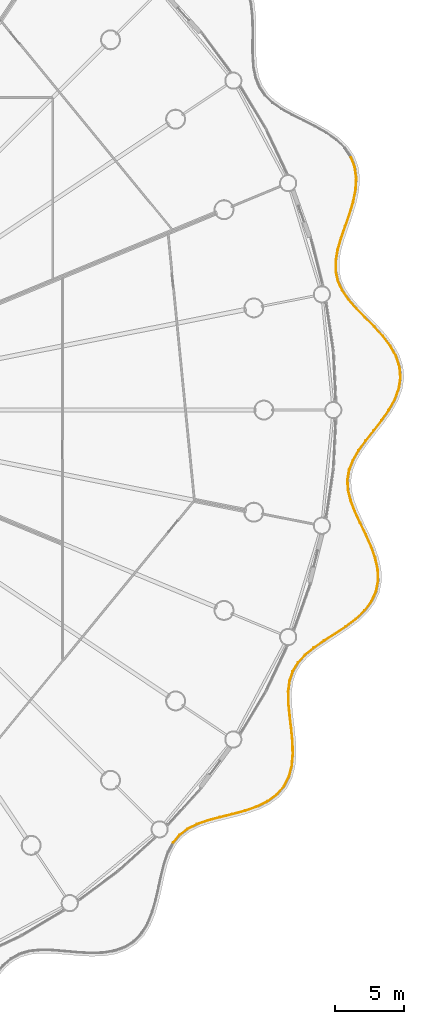
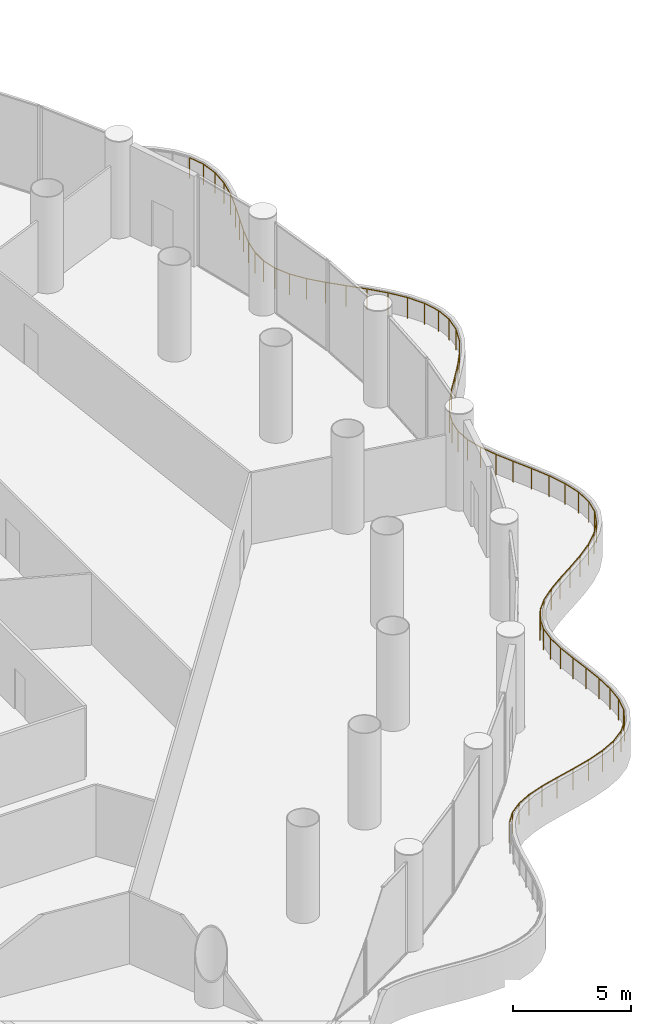
# One storey, part 36 of 38: 3 railings.
"""IFC4 building model written with IfcOpenShell, lengths in metres."""

from ifc_helpers import new_model, si_unit, direction, frame, origin, origin_2d, place, context, subcontext, project, spatial, circle, extrude, material, type_object, element, save


model = new_model("IFC4")

# Units and contexts
model_context = context("Model", 3, precision=1e-05, world=origin(), true_north=direction((0.0, 1.0)))
body_context = subcontext(model_context, "Body", "Model", "MODEL_VIEW")
ifc_project = project(units=[si_unit("LENGTHUNIT", "METRE"), si_unit("AREAUNIT", "SQUARE_METRE"), si_unit("VOLUMEUNIT", "CUBIC_METRE"), si_unit("PLANEANGLEUNIT", "RADIAN"), si_unit("MASSUNIT", "GRAM", prefix="KILO")], contexts=[model_context])

# Site, building, storey
site_placement = place(None, origin())
site = spatial("IfcSite", under=ifc_project, at=site_placement, CompositionType="ELEMENT")
building_placement = place(site_placement, origin())
building = spatial("IfcBuilding", under=site, at=building_placement, Name="Corvane Civic Tower", CompositionType="ELEMENT")
storey_placement = place(building_placement, frame((0.0, 0.0, 32.0)))
storey = spatial("IfcBuildingStorey", under=building, at=storey_placement, Name="L06", CompositionType="ELEMENT", Elevation=32.0)

# Railings
ifc_material = material(Name="Steel ASTM A572 Gr 50", Category="steel")
railing_type = type_object("IfcRailingType", Name="PODIUM-RL-GUARD-1100", PredefinedType="GUARDRAIL", material=ifc_material)
railing_1_placement = place(storey_placement, frame((31.17919921875, -31.143798828125, 0.0)))
element("IfcRailing", 1, at=railing_1_placement, inside=storey, type_object=railing_type, Name="L06 ribbon guard 11", PredefinedType="GUARDRAIL", context=body_context, shape_type="SweptSolid", body=[
    extrude(circle(Radius=0.02392578125, at=origin_2d()), frame((0.0, 0.0, 1.076171875), z_axis=(0.640562840792, 0.767905753981, 0.0), x_axis=(-0.767905753981, 0.640562840792, 0.0)), (0.0, 0.0, 1.0), 0.69775390625),
    extrude(circle(Radius=0.02392578125, at=origin_2d()), frame((0.447021484375, 0.535888671875, 1.076171875), z_axis=(0.793654806349, 0.608368349241, 0.0), x_axis=(-0.608368349241, 0.793654806349, 0.0)), (0.0, 0.0, 1.0), 0.72998046875),
    extrude(circle(Radius=0.02392578125, at=origin_2d()), frame((1.0263671875, 0.97998046875, 1.076171875), z_axis=(0.894364132119, 0.447339691039, 0.0), x_axis=(-0.447339691039, 0.894364132119, 0.0)), (0.0, 0.0, 1.0), 0.7744140625),
    extrude(circle(Radius=0.02392578125, at=origin_2d()), frame((1.718994140625, 1.326416015625, 1.076171875), z_axis=(0.945666987633, 0.325136815051, 0.0), x_axis=(-0.325136815051, 0.945666987633, 0.0)), (0.0, 0.0, 1.0), 0.837158203125),
    extrude(circle(Radius=0.02392578125, at=origin_2d()), frame((2.5107421875, 1.5986328125, 1.076171875), z_axis=(0.966996669681, 0.254789012373, 0.0), x_axis=(-0.254789012373, 0.966996669681, 0.0)), (0.0, 0.0, 1.0), 0.89404296875),
    extrude(circle(Radius=0.02392578125, at=origin_2d()), frame((3.375244140625, 1.826416015625, 1.076171875), z_axis=(0.97192484401, 0.235291516199, 0.0), x_axis=(-0.235291516199, 0.97192484401, 0.0)), (0.0, 0.0, 1.0), 0.9287109375),
    extrude(circle(Radius=0.02392578125, at=origin_2d()), frame((4.27783203125, 2.044921875, 1.076171875), z_axis=(0.965281385945, 0.261212262249, 0.0), x_axis=(-0.261212262249, 0.965281385945, 0.0)), (0.0, 0.0, 1.0), 0.932861328125),
    extrude(circle(Radius=0.02392578125, at=origin_2d()), frame((5.17822265625, 2.28857421875, 1.076171875), z_axis=(0.943387294832, 0.331693249781, 0.0), x_axis=(-0.331693249781, 0.943387294832, 0.0)), (0.0, 0.0, 1.0), 0.90673828125),
    extrude(circle(Radius=0.02392578125, at=origin_2d()), frame((6.03369140625, 2.58935546875, 1.076171875), z_axis=(0.895163202273, 0.445738534677, 0.0), x_axis=(-0.445738534677, 0.895163202273, 0.0)), (0.0, 0.0, 1.0), 0.861083984375),
    extrude(circle(Radius=0.02392578125, at=origin_2d()), frame((6.804443359375, 2.97314453125, 1.076171875), z_axis=(0.803339019645, 0.59552197232, 0.0), x_axis=(-0.59552197232, 0.803339019645, 0.0)), (0.0, 0.0, 1.0), 0.81298828125),
    extrude(circle(Radius=0.02392578125, at=origin_2d()), frame((7.45751953125, 3.457275390625, 1.076171875), z_axis=(0.65371739994, 0.756738766693, 0.0), x_axis=(-0.756738766693, 0.65371739994, 0.0)), (0.0, 0.0, 1.0), 0.781982421875),
    extrude(circle(Radius=0.02392578125, at=origin_2d()), frame((7.96875, 4.049072265625, 1.076171875), z_axis=(0.457770141422, 0.889070580788, 0.0), x_axis=(-0.889070580788, 0.457770141422, 0.0)), (0.0, 0.0, 1.0), 0.783935546875),
    extrude(circle(Radius=0.02392578125, at=origin_2d()), frame((8.32763671875, 4.74609375, 1.076171875), z_axis=(0.25593360182, 0.966694363002, 0.0), x_axis=(-0.966694363002, 0.25593360182, 0.0)), (0.0, 0.0, 1.0), 0.817626953125),
    extrude(circle(Radius=0.02392578125, at=origin_2d()), frame((8.536865234375, 5.536376953125, 1.076171875), z_axis=(0.087918482012, 0.996127672801, 0.0), x_axis=(-0.996127672801, 0.087918482012, 0.0)), (0.0, 0.0, 1.0), 0.866455078125),
    extrude(circle(Radius=0.02392578125, at=origin_2d()), frame((8.613037109375, 6.3994140625, 1.076171875), z_axis=(-0.030029369603, 0.999549016788, 0.0), x_axis=(-0.999549016788, -0.030029369603, 0.0)), (0.0, 0.0, 1.0), 0.91064453125),
    extrude(circle(Radius=0.02392578125, at=origin_2d()), frame((8.585693359375, 7.3095703125, 1.076171875), z_axis=(-0.09883063936, 0.995104268267, 0.0), x_axis=(-0.995104268267, -0.09883063936, 0.0)), (0.0, 0.0, 1.0), 0.933837890625),
    extrude(circle(Radius=0.02392578125, at=origin_2d()), frame((8.493408203125, 8.23876953125, 1.076171875), z_axis=(-0.120693375254, 0.992689835331, 0.0), x_axis=(-0.992689835331, -0.120693375254, 0.0)), (0.0, 0.0, 1.0), 0.926513671875),
    extrude(circle(Radius=0.02392578125, at=origin_2d()), frame((8.381591796875, 9.158447265625, 1.076171875), z_axis=(-0.095288563637, 0.995449692169, 0.0), x_axis=(-0.995449692169, -0.095288563637, 0.0)), (0.0, 0.0, 1.0), 0.88916015625),
    extrude(circle(Radius=0.02392578125, at=origin_2d()), frame((8.296875, 10.04345703125, 1.076171875), z_axis=(-0.016174354489, 0.999869186572, 0.0), x_axis=(-0.999869186572, -0.016174354489, 0.0)), (0.0, 0.0, 1.0), 0.830078125),
    extrude(circle(Radius=0.02392578125, at=origin_2d()), frame((8.283447265625, 10.87353515625, 1.076171875), z_axis=(0.122901158581, 0.992418916194, 0.0), x_axis=(-0.992418916194, 0.122901158581, 0.0)), (0.0, 0.0, 1.0), 0.768798828125),
    extrude(circle(Radius=0.02392578125, at=origin_2d()), frame((8.3779296875, 11.636474609375, 1.076171875), z_axis=(0.313001886117, 0.949752504228, 0.0), x_axis=(-0.949752504228, 0.313001886117, 0.0)), (0.0, 0.0, 1.0), 0.72705078125),
    extrude(circle(Radius=0.02392578125, at=origin_2d()), frame((8.60546875, 12.326904296875, 1.076171875), z_axis=(0.514594803967, 0.857433488809, 0.0), x_axis=(-0.857433488809, 0.514594803967, 0.0)), (0.0, 0.0, 1.0), 0.724853515625),
    extrude(circle(Radius=0.02392578125, at=origin_2d()), frame((8.978515625, 12.948486328125, 1.076171875), z_axis=(0.674550053428, 0.738229114449, 0.0), x_axis=(-0.738229114449, 0.674550053428, 0.0)), (0.0, 0.0, 1.0), 0.762939453125),
    extrude(circle(Radius=0.02392578125, at=origin_2d()), frame((9.4931640625, 13.51171875, 1.076171875), z_axis=(0.774868960763, 0.632121897774, 0.0), x_axis=(-0.632121897774, 0.774868960763, 0.0)), (0.0, 0.0, 1.0), 0.798828125),
    extrude(circle(Radius=0.02099609375, at=origin_2d()), origin(), (0.0, 0.0, 1.0), 1.052001953125),
    extrude(circle(Radius=0.02099609375, at=origin_2d()), frame((0.447021484375, 0.535888671875, 0.0)), (0.0, 0.0, 1.0), 1.052001953125),
    extrude(circle(Radius=0.02099609375, at=origin_2d()), frame((1.0263671875, 0.97998046875, 0.0)), (0.0, 0.0, 1.0), 1.052001953125),
    extrude(circle(Radius=0.02099609375, at=origin_2d()), frame((1.718994140625, 1.326416015625, 0.0)), (0.0, 0.0, 1.0), 1.052001953125),
    extrude(circle(Radius=0.02099609375, at=origin_2d()), frame((2.5107421875, 1.5986328125, 0.0)), (0.0, 0.0, 1.0), 1.052001953125),
    extrude(circle(Radius=0.02099609375, at=origin_2d()), frame((3.375244140625, 1.826416015625, 0.0)), (0.0, 0.0, 1.0), 1.052001953125),
    extrude(circle(Radius=0.02099609375, at=origin_2d()), frame((4.27783203125, 2.044921875, 0.0)), (0.0, 0.0, 1.0), 1.052001953125),
    extrude(circle(Radius=0.02099609375, at=origin_2d()), frame((5.17822265625, 2.28857421875, 0.0)), (0.0, 0.0, 1.0), 1.052001953125),
    extrude(circle(Radius=0.02099609375, at=origin_2d()), frame((6.03369140625, 2.58935546875, 0.0)), (0.0, 0.0, 1.0), 1.052001953125),
    extrude(circle(Radius=0.02099609375, at=origin_2d()), frame((6.804443359375, 2.97314453125, 0.0)), (0.0, 0.0, 1.0), 1.052001953125),
    extrude(circle(Radius=0.02099609375, at=origin_2d()), frame((7.45751953125, 3.457275390625, 0.0)), (0.0, 0.0, 1.0), 1.052001953125),
    extrude(circle(Radius=0.02099609375, at=origin_2d()), frame((7.96875, 4.049072265625, 0.0)), (0.0, 0.0, 1.0), 1.052001953125),
    extrude(circle(Radius=0.02099609375, at=origin_2d()), frame((8.32763671875, 4.74609375, 0.0)), (0.0, 0.0, 1.0), 1.052001953125),
    extrude(circle(Radius=0.02099609375, at=origin_2d()), frame((8.536865234375, 5.536376953125, 0.0)), (0.0, 0.0, 1.0), 1.052001953125),
    extrude(circle(Radius=0.02099609375, at=origin_2d()), frame((8.613037109375, 6.3994140625, 0.0)), (0.0, 0.0, 1.0), 1.052001953125),
    extrude(circle(Radius=0.02099609375, at=origin_2d()), frame((8.585693359375, 7.3095703125, 0.0)), (0.0, 0.0, 1.0), 1.052001953125),
    extrude(circle(Radius=0.02099609375, at=origin_2d()), frame((8.493408203125, 8.23876953125, 0.0)), (0.0, 0.0, 1.0), 1.052001953125),
    extrude(circle(Radius=0.02099609375, at=origin_2d()), frame((8.381591796875, 9.158447265625, 0.0)), (0.0, 0.0, 1.0), 1.052001953125),
    extrude(circle(Radius=0.02099609375, at=origin_2d()), frame((8.296875, 10.04345703125, 0.0)), (0.0, 0.0, 1.0), 1.052001953125),
    extrude(circle(Radius=0.02099609375, at=origin_2d()), frame((8.283447265625, 10.87353515625, 0.0)), (0.0, 0.0, 1.0), 1.052001953125),
    extrude(circle(Radius=0.02099609375, at=origin_2d()), frame((8.3779296875, 11.636474609375, 0.0)), (0.0, 0.0, 1.0), 1.052001953125),
    extrude(circle(Radius=0.02099609375, at=origin_2d()), frame((8.60546875, 12.326904296875, 0.0)), (0.0, 0.0, 1.0), 1.052001953125),
    extrude(circle(Radius=0.02099609375, at=origin_2d()), frame((8.978515625, 12.948486328125, 0.0)), (0.0, 0.0, 1.0), 1.052001953125),
    extrude(circle(Radius=0.02099609375, at=origin_2d()), frame((9.4931640625, 13.51171875, 0.0)), (0.0, 0.0, 1.0), 1.052001953125),
    extrude(circle(Radius=0.02099609375, at=origin_2d()), frame((10.112060546875, 14.0166015625, 0.0)), (0.0, 0.0, 1.0), 1.052001953125),
])
railing_2_placement = place(storey_placement, frame((41.331298828125, -17.09716796875, 0.0)))
element("IfcRailing", 2, at=railing_2_placement, inside=storey, type_object=railing_type, Name="L06 ribbon guard 12", PredefinedType="GUARDRAIL", context=body_context, shape_type="SweptSolid", body=[
    extrude(circle(Radius=0.02392578125, at=origin_2d()), frame((0.0, 0.0, 1.076171875), z_axis=(0.82573958795, 0.564051533898, 0.0), x_axis=(-0.564051533898, 0.82573958795, 0.0)), (0.0, 0.0, 1.0), 0.8583984375),
    extrude(circle(Radius=0.02392578125, at=origin_2d()), frame((0.708740234375, 0.484130859375, 1.076171875), z_axis=(0.842822766724, 0.53819121499, 0.0), x_axis=(-0.53819121499, 0.842822766724, 0.0)), (0.0, 0.0, 1.0), 0.924072265625),
    extrude(circle(Radius=0.02392578125, at=origin_2d()), frame((1.487548828125, 0.9814453125, 1.076171875), z_axis=(0.83337465596, 0.552708497133, 0.0), x_axis=(-0.552708497133, 0.83337465596, 0.0)), (0.0, 0.0, 1.0), 0.934326171875),
    extrude(circle(Radius=0.02392578125, at=origin_2d()), frame((2.26611328125, 1.497802734375, 1.076171875), z_axis=(0.796655807084, 0.604433226286, 0.0), x_axis=(-0.604433226286, 0.796655807084, 0.0)), (0.0, 0.0, 1.0), 0.91455078125),
    extrude(circle(Radius=0.02392578125, at=origin_2d()), frame((2.99462890625, 2.050537109375, 1.076171875), z_axis=(0.723304663882, 0.690529045882, 0.0), x_axis=(-0.690529045882, 0.723304663882, 0.0)), (0.0, 0.0, 1.0), 0.87158203125),
    extrude(circle(Radius=0.02392578125, at=origin_2d()), frame((3.625, 2.65234375, 1.076171875), z_axis=(0.599762443872, 0.800178111998, 0.0), x_axis=(-0.800178111998, 0.599762443872, 0.0)), (0.0, 0.0, 1.0), 0.822265625),
    extrude(circle(Radius=0.02392578125, at=origin_2d()), frame((4.1181640625, 3.310302734375, 1.076171875), z_axis=(0.417659549291, 0.908603599424, 0.0), x_axis=(-0.908603599424, 0.417659549291, 0.0)), (0.0, 0.0, 1.0), 0.7861328125),
    extrude(circle(Radius=0.02392578125, at=origin_2d()), frame((4.446533203125, 4.024658203125, 1.076171875), z_axis=(0.192928093659, 0.981212897733, 0.0), x_axis=(-0.981212897733, 0.192928093659, 0.0)), (0.0, 0.0, 1.0), 0.78076171875),
    extrude(circle(Radius=0.02392578125, at=origin_2d()), frame((4.59716796875, 4.790771484375, 1.076171875), z_axis=(-0.029603218317, 0.999561728692, 0.0), x_axis=(-0.999561728692, -0.029603218317, 0.0)), (0.0, 0.0, 1.0), 0.80810546875),
    extrude(circle(Radius=0.02392578125, at=origin_2d()), frame((4.5732421875, 5.5986328125, 1.076171875), z_axis=(-0.209373242359, 0.977835796739, 0.0), x_axis=(-0.977835796739, -0.209373242359, 0.0)), (0.0, 0.0, 1.0), 0.85595703125),
    extrude(circle(Radius=0.02392578125, at=origin_2d()), frame((4.39404296875, 6.435546875, 1.076171875), z_axis=(-0.333782049108, 0.942650276451, 0.0), x_axis=(-0.942650276451, -0.333782049108, 0.0)), (0.0, 0.0, 1.0), 0.902587890625),
    extrude(circle(Radius=0.02392578125, at=origin_2d()), frame((4.0927734375, 7.286376953125, 1.076171875), z_axis=(-0.406819340059, 0.913508634088, 0.0), x_axis=(-0.913508634088, -0.406819340059, 0.0)), (0.0, 0.0, 1.0), 0.931396484375),
    extrude(circle(Radius=0.02392578125, at=origin_2d()), frame((3.7138671875, 8.13720703125, 1.076171875), z_axis=(-0.435842110154, 0.900023141378, 0.0), x_axis=(-0.900023141378, -0.435842110154, 0.0)), (0.0, 0.0, 1.0), 0.930419921875),
    extrude(circle(Radius=0.02392578125, at=origin_2d()), frame((3.308349609375, 8.974609375, 1.076171875), z_axis=(-0.421948777942, 0.906619671524, 0.0), x_axis=(-0.906619671524, -0.421948777942, 0.0)), (0.0, 0.0, 1.0), 0.899169921875),
    extrude(circle(Radius=0.02392578125, at=origin_2d()), frame((2.928955078125, 9.789794921875, 1.076171875), z_axis=(-0.359987220664, 0.93295723426, 0.0), x_axis=(-0.93295723426, -0.359987220664, 0.0)), (0.0, 0.0, 1.0), 0.84375),
    extrude(circle(Radius=0.02392578125, at=origin_2d()), frame((2.625244140625, 10.576904296875, 1.076171875), z_axis=(-0.239885475498, 0.970801194192, 0.0), x_axis=(-0.970801194192, -0.239885475498, 0.0)), (0.0, 0.0, 1.0), 0.780517578125),
    extrude(circle(Radius=0.02392578125, at=origin_2d()), frame((2.43798828125, 11.334716796875, 1.076171875), z_axis=(-0.056945469186, 0.998377290176, 0.0), x_axis=(-0.998377290176, -0.056945469186, 0.0)), (0.0, 0.0, 1.0), 0.733154296875),
    extrude(circle(Radius=0.02392578125, at=origin_2d()), frame((2.396240234375, 12.066650390625, 1.076171875), z_axis=(0.162698350099, 0.986675857045, 0.0), x_axis=(-0.986675857045, 0.162698350099, 0.0)), (0.0, 0.0, 1.0), 0.7216796875),
    extrude(circle(Radius=0.02392578125, at=origin_2d()), frame((2.513671875, 12.77880859375, 1.076171875), z_axis=(0.362869121859, 0.931840115257, 0.0), x_axis=(-0.931840115257, 0.362869121859, 0.0)), (0.0, 0.0, 1.0), 0.752197265625),
    extrude(circle(Radius=0.02392578125, at=origin_2d()), frame((2.78662109375, 13.479736328125, 1.076171875), z_axis=(0.505649896337, 0.862738768304, 0.0), x_axis=(-0.862738768304, 0.505649896337, 0.0)), (0.0, 0.0, 1.0), 0.810302734375),
    extrude(circle(Radius=0.02392578125, at=origin_2d()), frame((3.1962890625, 14.1787109375, 1.076171875), z_axis=(0.587339096763, 0.809340957455, 0.0), x_axis=(-0.809340957455, 0.587339096763, 0.0)), (0.0, 0.0, 1.0), 0.8720703125),
    extrude(circle(Radius=0.02392578125, at=origin_2d()), frame((3.70849609375, 14.884521484375, 1.076171875), z_axis=(0.620532538307, 0.784180699139, 0.0), x_axis=(-0.784180699139, 0.620532538307, 0.0)), (0.0, 0.0, 1.0), 0.91748046875),
    extrude(circle(Radius=0.02392578125, at=origin_2d()), frame((4.27783203125, 15.60400390625, 1.076171875), z_axis=(0.614771968679, 0.788704904592, 0.0), x_axis=(-0.788704904592, 0.614771968679, 0.0)), (0.0, 0.0, 1.0), 0.934814453125),
    extrude(circle(Radius=0.02392578125, at=origin_2d()), frame((4.8525390625, 16.34130859375, 1.076171875), z_axis=(0.571375795207, 0.820688552772, 0.0), x_axis=(-0.820688552772, 0.571375795207, 0.0)), (0.0, 0.0, 1.0), 0.89599609375),
    extrude(circle(Radius=0.02099609375, at=origin_2d()), origin(), (0.0, 0.0, 1.0), 1.052001953125),
    extrude(circle(Radius=0.02099609375, at=origin_2d()), frame((0.708740234375, 0.484130859375, 0.0)), (0.0, 0.0, 1.0), 1.052001953125),
    extrude(circle(Radius=0.02099609375, at=origin_2d()), frame((1.487548828125, 0.9814453125, 0.0)), (0.0, 0.0, 1.0), 1.052001953125),
    extrude(circle(Radius=0.02099609375, at=origin_2d()), frame((2.26611328125, 1.497802734375, 0.0)), (0.0, 0.0, 1.0), 1.052001953125),
    extrude(circle(Radius=0.02099609375, at=origin_2d()), frame((2.99462890625, 2.050537109375, 0.0)), (0.0, 0.0, 1.0), 1.052001953125),
    extrude(circle(Radius=0.02099609375, at=origin_2d()), frame((3.625, 2.65234375, 0.0)), (0.0, 0.0, 1.0), 1.052001953125),
    extrude(circle(Radius=0.02099609375, at=origin_2d()), frame((4.1181640625, 3.310302734375, 0.0)), (0.0, 0.0, 1.0), 1.052001953125),
    extrude(circle(Radius=0.02099609375, at=origin_2d()), frame((4.446533203125, 4.024658203125, 0.0)), (0.0, 0.0, 1.0), 1.052001953125),
    extrude(circle(Radius=0.02099609375, at=origin_2d()), frame((4.59716796875, 4.790771484375, 0.0)), (0.0, 0.0, 1.0), 1.052001953125),
    extrude(circle(Radius=0.02099609375, at=origin_2d()), frame((4.5732421875, 5.5986328125, 0.0)), (0.0, 0.0, 1.0), 1.052001953125),
    extrude(circle(Radius=0.02099609375, at=origin_2d()), frame((4.39404296875, 6.435546875, 0.0)), (0.0, 0.0, 1.0), 1.052001953125),
    extrude(circle(Radius=0.02099609375, at=origin_2d()), frame((4.0927734375, 7.286376953125, 0.0)), (0.0, 0.0, 1.0), 1.052001953125),
    extrude(circle(Radius=0.02099609375, at=origin_2d()), frame((3.7138671875, 8.13720703125, 0.0)), (0.0, 0.0, 1.0), 1.052001953125),
    extrude(circle(Radius=0.02099609375, at=origin_2d()), frame((3.308349609375, 8.974609375, 0.0)), (0.0, 0.0, 1.0), 1.052001953125),
    extrude(circle(Radius=0.02099609375, at=origin_2d()), frame((2.928955078125, 9.789794921875, 0.0)), (0.0, 0.0, 1.0), 1.052001953125),
    extrude(circle(Radius=0.02099609375, at=origin_2d()), frame((2.625244140625, 10.576904296875, 0.0)), (0.0, 0.0, 1.0), 1.052001953125),
    extrude(circle(Radius=0.02099609375, at=origin_2d()), frame((2.43798828125, 11.334716796875, 0.0)), (0.0, 0.0, 1.0), 1.052001953125),
    extrude(circle(Radius=0.02099609375, at=origin_2d()), frame((2.396240234375, 12.066650390625, 0.0)), (0.0, 0.0, 1.0), 1.052001953125),
    extrude(circle(Radius=0.02099609375, at=origin_2d()), frame((2.513671875, 12.77880859375, 0.0)), (0.0, 0.0, 1.0), 1.052001953125),
    extrude(circle(Radius=0.02099609375, at=origin_2d()), frame((2.78662109375, 13.479736328125, 0.0)), (0.0, 0.0, 1.0), 1.052001953125),
    extrude(circle(Radius=0.02099609375, at=origin_2d()), frame((3.1962890625, 14.1787109375, 0.0)), (0.0, 0.0, 1.0), 1.052001953125),
    extrude(circle(Radius=0.02099609375, at=origin_2d()), frame((3.70849609375, 14.884521484375, 0.0)), (0.0, 0.0, 1.0), 1.052001953125),
    extrude(circle(Radius=0.02099609375, at=origin_2d()), frame((4.27783203125, 15.60400390625, 0.0)), (0.0, 0.0, 1.0), 1.052001953125),
    extrude(circle(Radius=0.02099609375, at=origin_2d()), frame((4.8525390625, 16.34130859375, 0.0)), (0.0, 0.0, 1.0), 1.052001953125),
    extrude(circle(Radius=0.02099609375, at=origin_2d()), frame((5.364501953125, 17.07666015625, 0.0)), (0.0, 0.0, 1.0), 1.052001953125),
])
railing_3_placement = place(storey_placement, frame((46.72216796875, 0.02197265625, 0.0)))
element("IfcRailing", 3, at=railing_3_placement, inside=storey, type_object=railing_type, Name="L06 ribbon guard 13", PredefinedType="GUARDRAIL", context=body_context, shape_type="SweptSolid", body=[
    extrude(circle(Radius=0.02392578125, at=origin_2d()), frame((0.0, 0.0, 1.076171875), z_axis=(0.484771582084, 0.874640790956, 0.0), x_axis=(-0.874640790956, 0.484771582084, 0.0)), (0.0, 0.0, 1.0), 0.856689453125),
    extrude(circle(Radius=0.02392578125, at=origin_2d()), frame((0.415283203125, 0.749267578125, 1.076171875), z_axis=(0.344427050262, 0.938813084191, 0.0), x_axis=(-0.938813084191, 0.344427050262, 0.0)), (0.0, 0.0, 1.0), 0.832275390625),
    extrude(circle(Radius=0.02392578125, at=origin_2d()), frame((0.701904296875, 1.530517578125, 1.076171875), z_axis=(0.147420434322, 0.98907391814, 0.0), x_axis=(-0.98907391814, 0.147420434322, 0.0)), (0.0, 0.0, 1.0), 0.79150390625),
    extrude(circle(Radius=0.02392578125, at=origin_2d()), frame((0.818603515625, 2.3134765625, 1.076171875), z_axis=(-0.086183330017, 0.996279294991, 0.0), x_axis=(-0.996279294991, -0.086183330017, 0.0)), (0.0, 0.0, 1.0), 0.779052734375),
    extrude(circle(Radius=0.02392578125, at=origin_2d()), frame((0.75146484375, 3.089599609375, 1.076171875), z_axis=(-0.310823647383, 0.95046760083, 0.0), x_axis=(-0.95046760083, -0.310823647383, 0.0)), (0.0, 0.0, 1.0), 0.80029296875),
    extrude(circle(Radius=0.02392578125, at=origin_2d()), frame((0.502685546875, 3.850341796875, 1.076171875), z_axis=(-0.486182441808, 0.873857330047, 0.0), x_axis=(-0.873857330047, -0.486182441808, 0.0)), (0.0, 0.0, 1.0), 0.84521484375),
    extrude(circle(Radius=0.02392578125, at=origin_2d()), frame((0.091796875, 4.5888671875, 1.076171875), z_axis=(-0.603621021623, 0.797271385574, 0.0), x_axis=(-0.797271385574, -0.603621021623, 0.0)), (0.0, 0.0, 1.0), 0.893798828125),
    extrude(circle(Radius=0.02392578125, at=origin_2d()), frame((-0.44775390625, 5.301513671875, 1.076171875), z_axis=(-0.672187761022, 0.740380722285, 0.0), x_axis=(-0.740380722285, -0.672187761022, 0.0)), (0.0, 0.0, 1.0), 0.92724609375),
    extrude(circle(Radius=0.02392578125, at=origin_2d()), frame((-1.071044921875, 5.988037109375, 1.076171875), z_axis=(-0.702384147199, 0.711798082158, 0.0), x_axis=(-0.711798082158, -0.702384147199, 0.0)), (0.0, 0.0, 1.0), 0.93359375),
    extrude(circle(Radius=0.02392578125, at=origin_2d()), frame((-1.726806640625, 6.652587890625, 1.076171875), z_axis=(-0.698857923336, 0.715260514072, 0.0), x_axis=(-0.715260514072, -0.698857923336, 0.0)), (0.0, 0.0, 1.0), 0.907958984375),
    extrude(circle(Radius=0.02392578125, at=origin_2d()), frame((-2.361328125, 7.302001953125, 1.076171875), z_axis=(-0.65775776046, 0.75322953245, 0.0), x_axis=(-0.75322953245, -0.65775776046, 0.0)), (0.0, 0.0, 1.0), 0.856689453125),
    extrude(circle(Radius=0.02392578125, at=origin_2d()), frame((-2.9248046875, 7.947265625, 1.076171875), z_axis=(-0.56832961882, 0.822800974946, 0.0), x_axis=(-0.822800974946, -0.56832961882, 0.0)), (0.0, 0.0, 1.0), 0.79345703125),
    extrude(circle(Radius=0.02392578125, at=origin_2d()), frame((-3.375732421875, 8.60009765625, 1.076171875), z_axis=(-0.41757371867, 0.908643048439, 0.0), x_axis=(-0.908643048439, -0.41757371867, 0.0)), (0.0, 0.0, 1.0), 0.74072265625),
    extrude(circle(Radius=0.02392578125, at=origin_2d()), frame((-3.68505859375, 9.273193359375, 1.076171875), z_axis=(-0.212837667857, 0.977087573937, 0.0), x_axis=(-0.977087573937, -0.212837667857, 0.0)), (0.0, 0.0, 1.0), 0.720458984375),
    extrude(circle(Radius=0.02392578125, at=origin_2d()), frame((-3.83837890625, 9.97705078125, 1.076171875), z_axis=(0.000328623052, 0.999999946003, 0.0), x_axis=(-0.999999946003, 0.000328623052, 0.0)), (0.0, 0.0, 1.0), 0.742919921875),
    extrude(circle(Radius=0.02392578125, at=origin_2d()), frame((-3.838134765625, 10.719970703125, 1.076171875), z_axis=(0.170060830048, 0.98543356655, 0.0), x_axis=(-0.98543356655, 0.170060830048, 0.0)), (0.0, 0.0, 1.0), 0.796875),
    extrude(circle(Radius=0.02392578125, at=origin_2d()), frame((-3.70263671875, 11.505126953125, 1.076171875), z_axis=(0.27772020154, 0.96066200594, 0.0), x_axis=(-0.96066200594, 0.27772020154, 0.0)), (0.0, 0.0, 1.0), 0.85986328125),
    extrude(circle(Radius=0.02392578125, at=origin_2d()), frame((-3.4638671875, 12.3310546875, 1.076171875), z_axis=(0.328031635624, 0.944666738077, 0.0), x_axis=(-0.944666738077, 0.328031635624, 0.0)), (0.0, 0.0, 1.0), 0.91015625),
    extrude(circle(Radius=0.02392578125, at=origin_2d()), frame((-3.165283203125, 13.19091796875, 1.076171875), z_axis=(0.330466878924, 0.943817589333, 0.0), x_axis=(-0.943817589333, 0.330466878924, 0.0)), (0.0, 0.0, 1.0), 0.933837890625),
    extrude(circle(Radius=0.02392578125, at=origin_2d()), frame((-2.856689453125, 14.072265625, 1.076171875), z_axis=(0.288653579116, 0.957433606713, 0.0), x_axis=(-0.957433606713, 0.288653579116, 0.0)), (0.0, 0.0, 1.0), 0.926025390625),
    extrude(circle(Radius=0.02392578125, at=origin_2d()), frame((-2.58935546875, 14.958984375, 1.076171875), z_axis=(0.199589877807, 0.979879523552, 0.0), x_axis=(-0.979879523552, 0.199589877807, 0.0)), (0.0, 0.0, 1.0), 0.8916015625),
    extrude(circle(Radius=0.02392578125, at=origin_2d()), frame((-2.411376953125, 15.832763671875, 1.076171875), z_axis=(0.057957564445, 0.998319047561, 0.0), x_axis=(-0.998319047561, 0.057957564445, 0.0)), (0.0, 0.0, 1.0), 0.842529296875),
    extrude(circle(Radius=0.02392578125, at=origin_2d()), frame((-2.362548828125, 16.673828125, 1.076171875), z_axis=(-0.136068290058, 0.9906994602, 0.0), x_axis=(-0.9906994602, -0.136068290058, 0.0)), (0.0, 0.0, 1.0), 0.79833984375),
    extrude(circle(Radius=0.02392578125, at=origin_2d()), frame((-2.47119140625, 17.46484375, 1.076171875), z_axis=(-0.358675095496, 0.933462466236, 0.0), x_axis=(-0.933462466236, -0.358675095496, 0.0)), (0.0, 0.0, 1.0), 0.75341796875),
    extrude(circle(Radius=0.02099609375, at=origin_2d()), origin(), (0.0, 0.0, 1.0), 1.052001953125),
    extrude(circle(Radius=0.02099609375, at=origin_2d()), frame((0.415283203125, 0.749267578125, 0.0)), (0.0, 0.0, 1.0), 1.052001953125),
    extrude(circle(Radius=0.02099609375, at=origin_2d()), frame((0.701904296875, 1.530517578125, 0.0)), (0.0, 0.0, 1.0), 1.052001953125),
    extrude(circle(Radius=0.02099609375, at=origin_2d()), frame((0.818603515625, 2.3134765625, 0.0)), (0.0, 0.0, 1.0), 1.052001953125),
    extrude(circle(Radius=0.02099609375, at=origin_2d()), frame((0.75146484375, 3.089599609375, 0.0)), (0.0, 0.0, 1.0), 1.052001953125),
    extrude(circle(Radius=0.02099609375, at=origin_2d()), frame((0.502685546875, 3.850341796875, 0.0)), (0.0, 0.0, 1.0), 1.052001953125),
    extrude(circle(Radius=0.02099609375, at=origin_2d()), frame((0.091796875, 4.5888671875, 0.0)), (0.0, 0.0, 1.0), 1.052001953125),
    extrude(circle(Radius=0.02099609375, at=origin_2d()), frame((-0.44775390625, 5.301513671875, 0.0)), (0.0, 0.0, 1.0), 1.052001953125),
    extrude(circle(Radius=0.02099609375, at=origin_2d()), frame((-1.071044921875, 5.988037109375, 0.0)), (0.0, 0.0, 1.0), 1.052001953125),
    extrude(circle(Radius=0.02099609375, at=origin_2d()), frame((-1.726806640625, 6.652587890625, 0.0)), (0.0, 0.0, 1.0), 1.052001953125),
    extrude(circle(Radius=0.02099609375, at=origin_2d()), frame((-2.361328125, 7.302001953125, 0.0)), (0.0, 0.0, 1.0), 1.052001953125),
    extrude(circle(Radius=0.02099609375, at=origin_2d()), frame((-2.9248046875, 7.947265625, 0.0)), (0.0, 0.0, 1.0), 1.052001953125),
    extrude(circle(Radius=0.02099609375, at=origin_2d()), frame((-3.375732421875, 8.60009765625, 0.0)), (0.0, 0.0, 1.0), 1.052001953125),
    extrude(circle(Radius=0.02099609375, at=origin_2d()), frame((-3.68505859375, 9.273193359375, 0.0)), (0.0, 0.0, 1.0), 1.052001953125),
    extrude(circle(Radius=0.02099609375, at=origin_2d()), frame((-3.83837890625, 9.97705078125, 0.0)), (0.0, 0.0, 1.0), 1.052001953125),
    extrude(circle(Radius=0.02099609375, at=origin_2d()), frame((-3.838134765625, 10.719970703125, 0.0)), (0.0, 0.0, 1.0), 1.052001953125),
    extrude(circle(Radius=0.02099609375, at=origin_2d()), frame((-3.70263671875, 11.505126953125, 0.0)), (0.0, 0.0, 1.0), 1.052001953125),
    extrude(circle(Radius=0.02099609375, at=origin_2d()), frame((-3.4638671875, 12.3310546875, 0.0)), (0.0, 0.0, 1.0), 1.052001953125),
    extrude(circle(Radius=0.02099609375, at=origin_2d()), frame((-3.165283203125, 13.19091796875, 0.0)), (0.0, 0.0, 1.0), 1.052001953125),
    extrude(circle(Radius=0.02099609375, at=origin_2d()), frame((-2.856689453125, 14.072265625, 0.0)), (0.0, 0.0, 1.0), 1.052001953125),
    extrude(circle(Radius=0.02099609375, at=origin_2d()), frame((-2.58935546875, 14.958984375, 0.0)), (0.0, 0.0, 1.0), 1.052001953125),
    extrude(circle(Radius=0.02099609375, at=origin_2d()), frame((-2.411376953125, 15.832763671875, 0.0)), (0.0, 0.0, 1.0), 1.052001953125),
    extrude(circle(Radius=0.02099609375, at=origin_2d()), frame((-2.362548828125, 16.673828125, 0.0)), (0.0, 0.0, 1.0), 1.052001953125),
    extrude(circle(Radius=0.02099609375, at=origin_2d()), frame((-2.47119140625, 17.46484375, 0.0)), (0.0, 0.0, 1.0), 1.052001953125),
    extrude(circle(Radius=0.02099609375, at=origin_2d()), frame((-2.741455078125, 18.168212890625, 0.0)), (0.0, 0.0, 1.0), 1.052001953125),
])

save(model, "model.ifc")
